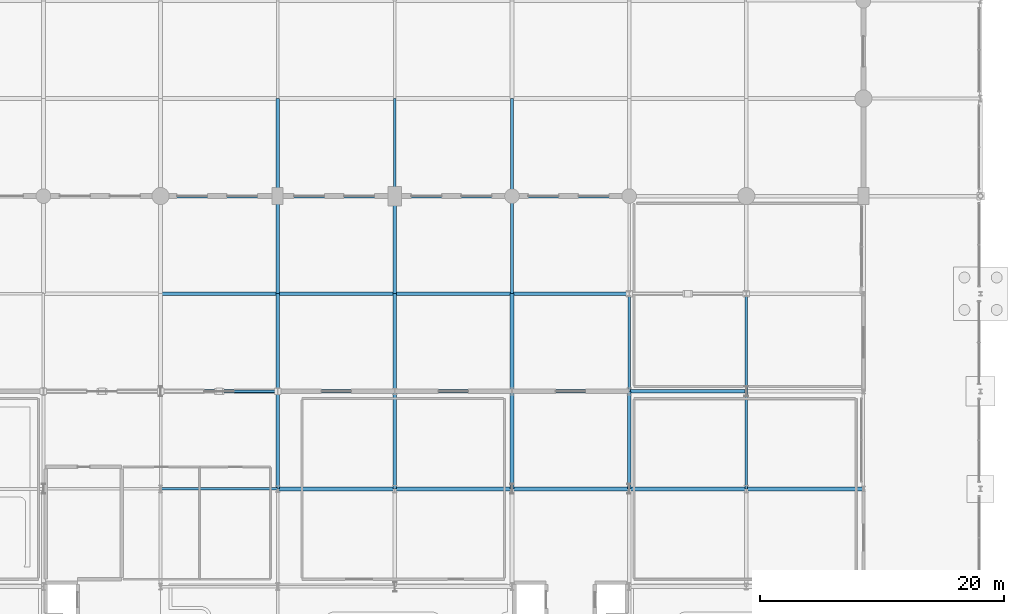
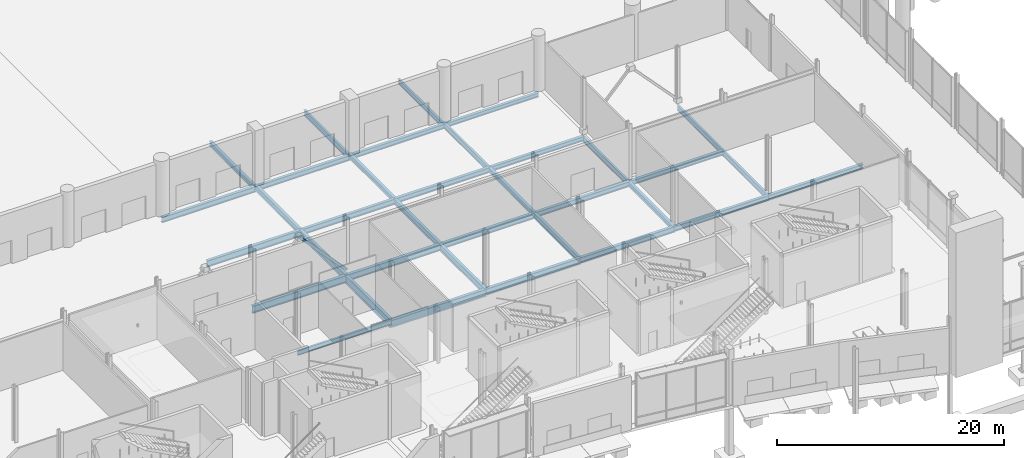
# One storey, part 44 of 124: 35 beams, 1 member.
"""IFC4 building model written with IfcOpenShell, lengths in metres."""

from ifc_helpers import new_model, si_unit, direction, frame, origin, origin_2d, place, context, subcontext, project, spatial, hollow_rectangle, i_section, extrude, material, material_profile, profile_set, type_object, element, save


model = new_model("IFC4")

# Units and contexts
model_context = context("Model", 3, precision=1e-05, world=origin(), true_north=direction((0.0, 1.0)))
body_context = subcontext(model_context, "Body", "Model", "MODEL_VIEW")
ifc_project = project(units=[si_unit("LENGTHUNIT", "METRE"), si_unit("AREAUNIT", "SQUARE_METRE"), si_unit("VOLUMEUNIT", "CUBIC_METRE"), si_unit("PLANEANGLEUNIT", "RADIAN"), si_unit("MASSUNIT", "GRAM", prefix="KILO")], contexts=[model_context])

# Site, building, storey
site_placement = place(None, origin())
site = spatial("IfcSite", under=ifc_project, at=site_placement, CompositionType="ELEMENT")
building_placement = place(site_placement, origin())
building = spatial("IfcBuilding", under=site, at=building_placement, Name="Danafjord Basin Convention Centre", CompositionType="ELEMENT")
storey_placement = place(building_placement, origin())
storey = spatial("IfcBuildingStorey", under=building, at=storey_placement, Name="L00", CompositionType="ELEMENT", Elevation=0.0)

# Beams
ifc_material = material(Name="Steel S355", Category="steel")
ifc_material_profile_1 = material_profile(ifc_material, i_section(OverallWidth=0.300048828125, OverallDepth=0.449951171875, WebThickness=0.013916015625, FlangeThickness=0.02587890625, FilletRadius=0.027099609375, at=origin_2d()), Name="HEB 450")
ifc_profile_set_1 = profile_set([ifc_material_profile_1], Name="Steel S355")
beam_type_1 = type_object("IfcBeamType", Name="BEAM-BM-HEB450", PredefinedType="BEAM", material=ifc_profile_set_1)
beam_1_placement = place(storey_placement, frame((86.39990234375, 56.0, -0.675048828125), z_axis=(1.0, 0.0, 0.0), x_axis=(0.0, 1.0, 0.0)))
element("IfcBeam", 1, at=beam_1_placement, inside=storey, type_object=beam_type_1, Name="L00 girder BM-HEB450", PredefinedType="BEAM", context=body_context, shape_type="SweptSolid", body=[
    extrude(i_section(OverallWidth=0.300048828125, OverallDepth=0.449951171875, WebThickness=0.013916015625, FlangeThickness=0.02587890625, FilletRadius=0.027099609375, at=origin_2d()), origin(), (0.0, 0.0, 1.0), 9.60009765625),
])
ifc_material_profile_2 = material_profile(ifc_material, i_section(OverallWidth=0.300048828125, OverallDepth=0.5, WebThickness=0.014404296875, FlangeThickness=0.028076171875, FilletRadius=0.027099609375, at=origin_2d()), Name="HEB 500")
ifc_profile_set_2 = profile_set([ifc_material_profile_2], Name="Steel S355")
beam_type_2 = type_object("IfcBeamType", Name="BEAM-BM-HEB500", PredefinedType="BEAM", material=ifc_profile_set_2)
beam_2_placement = place(storey_placement, frame((76.800048828125, 56.0, -0.699951171875), z_axis=(1.0, 0.0, 0.0), x_axis=(0.0, 1.0, 0.0)))
element("IfcBeam", 2, at=beam_2_placement, inside=storey, type_object=beam_type_2, Name="L00 girder BM-HEB500", PredefinedType="BEAM", context=body_context, shape_type="SweptSolid", body=[
    extrude(i_section(OverallWidth=0.300048828125, OverallDepth=0.5, WebThickness=0.014404296875, FlangeThickness=0.028076171875, FilletRadius=0.027099609375, at=origin_2d()), origin(), (0.0, 0.0, 1.0), 9.599853515625),
])
for number, where, z_axis, x_axis, name in (
    (3, (86.39990234375, 48.0, -0.530029296875), (1.0, 0.0, 0.0), (0.0, 1.0, 0.0), "L00 girder BM-HEB500"),
    (4, (96.0, 40.0, -0.56005859375), (1.0, 0.0, 0.0), (0.0, 1.0, 0.0), "L00 girder BM-HEB500"),
):
    element("IfcBeam", number, at=place(storey_placement, frame(where, z_axis=z_axis, x_axis=x_axis)), inside=storey, type_object=beam_type_2, Name=name, PredefinedType="BEAM", context=body_context, shape_type="SweptSolid", body=[
        extrude(i_section(OverallWidth=0.300048828125, OverallDepth=0.5, WebThickness=0.014404296875, FlangeThickness=0.028076171875, FilletRadius=0.027099609375, at=origin_2d()), origin(), (0.0, 0.0, 1.0), 9.60009765625),
    ])
beam_3_placement = place(storey_placement, frame((105.60009765625, 32.0, -0.56005859375), z_axis=(1.0, 0.0, 0.0), x_axis=(0.0, 1.0, 0.0)))
element("IfcBeam", 5, at=beam_3_placement, inside=storey, type_object=beam_type_2, Name="L00 girder BM-HEB500", PredefinedType="BEAM", context=body_context, shape_type="SweptSolid", body=[
    extrude(i_section(OverallWidth=0.300048828125, OverallDepth=0.5, WebThickness=0.014404296875, FlangeThickness=0.028076171875, FilletRadius=0.027099609375, at=origin_2d()), origin(), (0.0, 0.0, 1.0), 9.599853515625),
])
for number, where, z_axis, x_axis, name in (
    (6, (67.199951171875, 56.0, -0.699951171875), (0.0, 1.0, 0.0), (-1.0, 0.0, 0.0), "L00 transverse girder BM-HEB500"),
    (7, (76.800048828125, 48.0, -0.530029296875), (0.0, 1.0, 0.0), (-1.0, 0.0, 0.0), "L00 transverse girder BM-HEB500"),
    (8, (86.39990234375, 40.0, -0.530029296875), (0.0, 1.0, 0.0), (-1.0, 0.0, 0.0), "L00 transverse girder BM-HEB500"),
    (9, (96.0, 32.0, -0.56005859375), (0.0, 1.0, 0.0), (-1.0, 0.0, 0.0), "L00 transverse girder BM-HEB500"),
):
    element("IfcBeam", number, at=place(storey_placement, frame(where, z_axis=z_axis, x_axis=x_axis)), inside=storey, type_object=beam_type_2, Name=name, PredefinedType="BEAM", context=body_context, shape_type="SweptSolid", body=[
        extrude(i_section(OverallWidth=0.300048828125, OverallDepth=0.5, WebThickness=0.014404296875, FlangeThickness=0.028076171875, FilletRadius=0.027099609375, at=origin_2d()), origin(), (0.0, 0.0, 1.0), 8.0),
    ])
ifc_material_profile_3 = material_profile(ifc_material, i_section(OverallWidth=0.300048828125, OverallDepth=0.550048828125, WebThickness=0.014892578125, FlangeThickness=0.029052734375, FilletRadius=0.027099609375, at=origin_2d()), Name="HEB 550")
ifc_profile_set_3 = profile_set([ifc_material_profile_3], Name="Steel S355")
beam_type_3 = type_object("IfcBeamType", Name="BEAM-BM-HEB550", PredefinedType="BEAM", material=ifc_profile_set_3)
beam_4_placement = place(storey_placement, frame((67.199951171875, 56.0, -0.72509765625), z_axis=(1.0, 0.0, 0.0), x_axis=(0.0, 1.0, 0.0)))
element("IfcBeam", 10, at=beam_4_placement, inside=storey, type_object=beam_type_3, Name="L00 girder BM-HEB550", PredefinedType="BEAM", context=body_context, shape_type="SweptSolid", body=[
    extrude(i_section(OverallWidth=0.300048828125, OverallDepth=0.550048828125, WebThickness=0.014892578125, FlangeThickness=0.029052734375, FilletRadius=0.027099609375, at=origin_2d()), origin(), (0.0, 0.0, 1.0), 9.60009765625),
])
beam_5_placement = place(storey_placement, frame((76.800048828125, 48.0, -0.554931640625), z_axis=(1.0, 0.0, 0.0), x_axis=(0.0, 1.0, 0.0)))
element("IfcBeam", 11, at=beam_5_placement, inside=storey, type_object=beam_type_3, Name="L00 girder BM-HEB550", PredefinedType="BEAM", context=body_context, shape_type="SweptSolid", body=[
    extrude(i_section(OverallWidth=0.300048828125, OverallDepth=0.550048828125, WebThickness=0.014892578125, FlangeThickness=0.029052734375, FilletRadius=0.027099609375, at=origin_2d()), origin(), (0.0, 0.0, 1.0), 9.599853515625),
])
for number, where, z_axis, x_axis, name in (
    (12, (86.39990234375, 40.0, -0.5849609375), (1.0, 0.0, 0.0), (0.0, 1.0, 0.0), "L00 girder BM-HEB550"),
    (13, (96.0, 32.0, -0.5849609375), (1.0, 0.0, 0.0), (0.0, 1.0, 0.0), "L00 girder BM-HEB550"),
):
    element("IfcBeam", number, at=place(storey_placement, frame(where, z_axis=z_axis, x_axis=x_axis)), inside=storey, type_object=beam_type_3, Name=name, PredefinedType="BEAM", context=body_context, shape_type="SweptSolid", body=[
        extrude(i_section(OverallWidth=0.300048828125, OverallDepth=0.550048828125, WebThickness=0.014892578125, FlangeThickness=0.029052734375, FilletRadius=0.027099609375, at=origin_2d()), origin(), (0.0, 0.0, 1.0), 9.60009765625),
    ])
ifc_material_profile_4 = material_profile(ifc_material, i_section(OverallWidth=0.300048828125, OverallDepth=0.60009765625, WebThickness=0.015380859375, FlangeThickness=0.030029296875, FilletRadius=0.027099609375, at=origin_2d()), Name="HEB 600")
ifc_profile_set_4 = profile_set([ifc_material_profile_4], Name="Steel S355")
beam_type_4 = type_object("IfcBeamType", Name="BEAM-BM-HEB600", PredefinedType="BEAM", material=ifc_profile_set_4)
beam_6_placement = place(storey_placement, frame((57.60009765625, 56.0, -0.75), z_axis=(1.0, 0.0, 0.0), x_axis=(0.0, 1.0, 0.0)))
element("IfcBeam", 14, at=beam_6_placement, inside=storey, type_object=beam_type_4, Name="L00 girder BM-HEB600", PredefinedType="BEAM", context=body_context, shape_type="SweptSolid", body=[
    extrude(i_section(OverallWidth=0.300048828125, OverallDepth=0.60009765625, WebThickness=0.015380859375, FlangeThickness=0.030029296875, FilletRadius=0.027099609375, at=origin_2d()), origin(), (0.0, 0.0, 1.0), 9.599853515625),
])
beam_7_placement = place(storey_placement, frame((67.199951171875, 48.0, -0.580078125), z_axis=(1.0, 0.0, 0.0), x_axis=(0.0, 1.0, 0.0)))
element("IfcBeam", 15, at=beam_7_placement, inside=storey, type_object=beam_type_4, Name="L00 girder BM-HEB600", PredefinedType="BEAM", context=body_context, shape_type="SweptSolid", body=[
    extrude(i_section(OverallWidth=0.300048828125, OverallDepth=0.60009765625, WebThickness=0.015380859375, FlangeThickness=0.030029296875, FilletRadius=0.027099609375, at=origin_2d()), origin(), (0.0, 0.0, 1.0), 9.60009765625),
])
beam_8_placement = place(storey_placement, frame((76.800048828125, 40.0, -0.610107421875), z_axis=(1.0, 0.0, 0.0), x_axis=(0.0, 1.0, 0.0)))
element("IfcBeam", 16, at=beam_8_placement, inside=storey, type_object=beam_type_4, Name="L00 girder BM-HEB600", PredefinedType="BEAM", context=body_context, shape_type="SweptSolid", body=[
    extrude(i_section(OverallWidth=0.300048828125, OverallDepth=0.60009765625, WebThickness=0.015380859375, FlangeThickness=0.030029296875, FilletRadius=0.027099609375, at=origin_2d()), origin(), (0.0, 0.0, 1.0), 9.599853515625),
])
beam_9_placement = place(storey_placement, frame((86.39990234375, 32.0, -0.610107421875), z_axis=(1.0, 0.0, 0.0), x_axis=(0.0, 1.0, 0.0)))
element("IfcBeam", 17, at=beam_9_placement, inside=storey, type_object=beam_type_4, Name="L00 girder BM-HEB600", PredefinedType="BEAM", context=body_context, shape_type="SweptSolid", body=[
    extrude(i_section(OverallWidth=0.300048828125, OverallDepth=0.60009765625, WebThickness=0.015380859375, FlangeThickness=0.030029296875, FilletRadius=0.027099609375, at=origin_2d()), origin(), (0.0, 0.0, 1.0), 9.60009765625),
])
for number, where, z_axis, x_axis, name in (
    (18, (67.199951171875, 48.0, -0.580078125), (0.0, 1.0, 0.0), (-1.0, 0.0, 0.0), "L00 transverse girder BM-HEB600"),
    (19, (76.800048828125, 40.0, -0.580078125), (0.0, 1.0, 0.0), (-1.0, 0.0, 0.0), "L00 transverse girder BM-HEB600"),
    (20, (86.39990234375, 32.0, -0.610107421875), (0.0, 1.0, 0.0), (-1.0, 0.0, 0.0), "L00 transverse girder BM-HEB600"),
):
    element("IfcBeam", number, at=place(storey_placement, frame(where, z_axis=z_axis, x_axis=x_axis)), inside=storey, type_object=beam_type_4, Name=name, PredefinedType="BEAM", context=body_context, shape_type="SweptSolid", body=[
        extrude(i_section(OverallWidth=0.300048828125, OverallDepth=0.60009765625, WebThickness=0.015380859375, FlangeThickness=0.030029296875, FilletRadius=0.027099609375, at=origin_2d()), origin(), (0.0, 0.0, 1.0), 8.0),
    ])
ifc_material_profile_5 = material_profile(ifc_material, i_section(OverallWidth=0.300048828125, OverallDepth=0.699951171875, WebThickness=0.01708984375, FlangeThickness=0.031982421875, FilletRadius=0.027099609375, at=origin_2d()), Name="HEB 700")
ifc_profile_set_5 = profile_set([ifc_material_profile_5], Name="Steel S355")
beam_type_5 = type_object("IfcBeamType", Name="BEAM-BM-HEB700", PredefinedType="BEAM", material=ifc_profile_set_5)
beam_10_placement = place(storey_placement, frame((57.60009765625, 48.0, -0.6298828125), z_axis=(1.0, 0.0, 0.0), x_axis=(0.0, 1.0, 0.0)))
element("IfcBeam", 21, at=beam_10_placement, inside=storey, type_object=beam_type_5, Name="L00 girder BM-HEB700", PredefinedType="BEAM", context=body_context, shape_type="SweptSolid", body=[
    extrude(i_section(OverallWidth=0.300048828125, OverallDepth=0.699951171875, WebThickness=0.01708984375, FlangeThickness=0.031982421875, FilletRadius=0.027099609375, at=origin_2d()), origin(), (0.0, 0.0, 1.0), 9.599853515625),
])
beam_11_placement = place(storey_placement, frame((67.199951171875, 40.0, -0.659912109375), z_axis=(1.0, 0.0, 0.0), x_axis=(0.0, 1.0, 0.0)))
element("IfcBeam", 22, at=beam_11_placement, inside=storey, type_object=beam_type_5, Name="L00 girder BM-HEB700", PredefinedType="BEAM", context=body_context, shape_type="SweptSolid", body=[
    extrude(i_section(OverallWidth=0.300048828125, OverallDepth=0.699951171875, WebThickness=0.01708984375, FlangeThickness=0.031982421875, FilletRadius=0.027099609375, at=origin_2d()), origin(), (0.0, 0.0, 1.0), 9.60009765625),
])
beam_12_placement = place(storey_placement, frame((76.800048828125, 32.0, -0.659912109375), z_axis=(1.0, 0.0, 0.0), x_axis=(0.0, 1.0, 0.0)))
element("IfcBeam", 23, at=beam_12_placement, inside=storey, type_object=beam_type_5, Name="L00 girder BM-HEB700", PredefinedType="BEAM", context=body_context, shape_type="SweptSolid", body=[
    extrude(i_section(OverallWidth=0.300048828125, OverallDepth=0.699951171875, WebThickness=0.01708984375, FlangeThickness=0.031982421875, FilletRadius=0.027099609375, at=origin_2d()), origin(), (0.0, 0.0, 1.0), 9.599853515625),
])
for number, where, z_axis, x_axis, name in (
    (24, (67.199951171875, 40.0, -0.6298828125), (0.0, 1.0, 0.0), (-1.0, 0.0, 0.0), "L00 transverse girder BM-HEB700"),
    (25, (76.800048828125, 32.0, -0.659912109375), (0.0, 1.0, 0.0), (-1.0, 0.0, 0.0), "L00 transverse girder BM-HEB700"),
):
    element("IfcBeam", number, at=place(storey_placement, frame(where, z_axis=z_axis, x_axis=x_axis)), inside=storey, type_object=beam_type_5, Name=name, PredefinedType="BEAM", context=body_context, shape_type="SweptSolid", body=[
        extrude(i_section(OverallWidth=0.300048828125, OverallDepth=0.699951171875, WebThickness=0.01708984375, FlangeThickness=0.031982421875, FilletRadius=0.027099609375, at=origin_2d()), origin(), (0.0, 0.0, 1.0), 8.0),
    ])
ifc_material_profile_6 = material_profile(ifc_material, i_section(OverallWidth=0.300048828125, OverallDepth=0.800048828125, WebThickness=0.017578125, FlangeThickness=0.032958984375, FilletRadius=0.030029296875, at=origin_2d()), Name="HEB 800")
ifc_profile_set_6 = profile_set([ifc_material_profile_6], Name="Steel S355")
beam_type_6 = type_object("IfcBeamType", Name="BEAM-BM-HEB800", PredefinedType="BEAM", material=ifc_profile_set_6)
beam_13_placement = place(storey_placement, frame((57.60009765625, 40.0, -0.7099609375), z_axis=(1.0, 0.0, 0.0), x_axis=(0.0, 1.0, 0.0)))
element("IfcBeam", 26, at=beam_13_placement, inside=storey, type_object=beam_type_6, Name="L00 girder BM-HEB800", PredefinedType="BEAM", context=body_context, shape_type="SweptSolid", body=[
    extrude(i_section(OverallWidth=0.300048828125, OverallDepth=0.800048828125, WebThickness=0.017578125, FlangeThickness=0.032958984375, FilletRadius=0.030029296875, at=origin_2d()), origin(), (0.0, 0.0, 1.0), 9.599853515625),
])
beam_14_placement = place(storey_placement, frame((67.199951171875, 32.0, -0.7099609375), z_axis=(1.0, 0.0, 0.0), x_axis=(0.0, 1.0, 0.0)))
element("IfcBeam", 27, at=beam_14_placement, inside=storey, type_object=beam_type_6, Name="L00 girder BM-HEB800", PredefinedType="BEAM", context=body_context, shape_type="SweptSolid", body=[
    extrude(i_section(OverallWidth=0.300048828125, OverallDepth=0.800048828125, WebThickness=0.017578125, FlangeThickness=0.032958984375, FilletRadius=0.030029296875, at=origin_2d()), origin(), (0.0, 0.0, 1.0), 9.60009765625),
])
ifc_material_profile_7 = material_profile(ifc_material, i_section(OverallWidth=0.300048828125, OverallDepth=0.89990234375, WebThickness=0.0185546875, FlangeThickness=0.034912109375, FilletRadius=0.030029296875, at=origin_2d()), Name="HEB 900")
ifc_profile_set_7 = profile_set([ifc_material_profile_7], Name="Steel S355")
beam_type_7 = type_object("IfcBeamType", Name="BEAM-BM-HEB900", PredefinedType="BEAM", material=ifc_profile_set_7)
beam_15_placement = place(storey_placement, frame((67.199951171875, 32.0, -0.760009765625), z_axis=(0.0, 1.0, 0.0), x_axis=(-1.0, 0.0, 0.0)))
element("IfcBeam", 28, at=beam_15_placement, inside=storey, type_object=beam_type_7, Name="L00 transverse girder BM-HEB900", PredefinedType="BEAM", context=body_context, shape_type="SweptSolid", body=[
    extrude(i_section(OverallWidth=0.300048828125, OverallDepth=0.89990234375, WebThickness=0.0185546875, FlangeThickness=0.034912109375, FilletRadius=0.030029296875, at=origin_2d()), origin(), (0.0, 0.0, 1.0), 8.0),
])
ifc_material_profile_8 = material_profile(ifc_material, i_section(OverallWidth=0.199951171875, OverallDepth=0.5, WebThickness=0.01025390625, FlangeThickness=0.01611328125, FilletRadius=0.02099609375, at=origin_2d()), Name="IPE 500")
ifc_profile_set_8 = profile_set([ifc_material_profile_8], Name="Steel S355")
beam_type_8 = type_object("IfcBeamType", Name="BEAM-BM-IPE500", PredefinedType="BEAM", material=ifc_profile_set_8)
beam_16_placement = place(storey_placement, frame((57.60009765625, 32.0, -0.56005859375), z_axis=(1.0, 0.0, 0.0), x_axis=(0.0, 1.0, 0.0)))
element("IfcBeam", 29, at=beam_16_placement, inside=storey, type_object=beam_type_8, Name="L00 girder BM-IPE500", PredefinedType="BEAM", context=body_context, shape_type="SweptSolid", body=[
    extrude(i_section(OverallWidth=0.199951171875, OverallDepth=0.5, WebThickness=0.01025390625, FlangeThickness=0.01611328125, FilletRadius=0.02099609375, at=origin_2d()), origin(), (0.0, 0.0, 1.0), 9.599853515625),
])
ifc_material_profile_9 = material_profile(ifc_material, i_section(OverallWidth=0.2099609375, OverallDepth=0.550048828125, WebThickness=0.010986328125, FlangeThickness=0.01708984375, FilletRadius=0.02392578125, at=origin_2d()), Name="IPE 550")
ifc_profile_set_9 = profile_set([ifc_material_profile_9], Name="Steel S355")
beam_type_9 = type_object("IfcBeamType", Name="BEAM-BM-IPE550", PredefinedType="BEAM", material=ifc_profile_set_9)
for number, where, z_axis, x_axis, name in (
    (30, (86.39990234375, 56.0, -0.72509765625), (0.0, 1.0, 0.0), (-1.0, 0.0, 0.0), "L00 transverse girder BM-IPE550"),
    (31, (105.60009765625, 40.0, -0.5849609375), (0.0, 1.0, 0.0), (-1.0, 0.0, 0.0), "L00 transverse girder BM-IPE550"),
):
    element("IfcBeam", number, at=place(storey_placement, frame(where, z_axis=z_axis, x_axis=x_axis)), inside=storey, type_object=beam_type_9, Name=name, PredefinedType="BEAM", context=body_context, shape_type="SweptSolid", body=[
        extrude(i_section(OverallWidth=0.2099609375, OverallDepth=0.550048828125, WebThickness=0.010986328125, FlangeThickness=0.01708984375, FilletRadius=0.02392578125, at=origin_2d()), origin(), (0.0, 0.0, 1.0), 8.0),
    ])
ifc_material_profile_10 = material_profile(ifc_material, i_section(OverallWidth=0.219970703125, OverallDepth=0.60009765625, WebThickness=0.011962890625, FlangeThickness=0.01904296875, FilletRadius=0.02392578125, at=origin_2d()), Name="IPE 600")
ifc_profile_set_10 = profile_set([ifc_material_profile_10], Name="Steel S355")
beam_type_10 = type_object("IfcBeamType", Name="BEAM-BM-IPE600", PredefinedType="BEAM", material=ifc_profile_set_10)
for number, where, z_axis, x_axis, name in (
    (32, (76.800048828125, 56.0, -0.75), (0.0, 1.0, 0.0), (-1.0, 0.0, 0.0), "L00 transverse girder BM-IPE600"),
    (33, (86.39990234375, 48.0, -0.580078125), (0.0, 1.0, 0.0), (-1.0, 0.0, 0.0), "L00 transverse girder BM-IPE600"),
    (34, (96.0, 40.0, -0.610107421875), (0.0, 1.0, 0.0), (-1.0, 0.0, 0.0), "L00 transverse girder BM-IPE600"),
    (35, (105.60009765625, 32.0, -0.610107421875), (0.0, 1.0, 0.0), (-1.0, 0.0, 0.0), "L00 transverse girder BM-IPE600"),
):
    element("IfcBeam", number, at=place(storey_placement, frame(where, z_axis=z_axis, x_axis=x_axis)), inside=storey, type_object=beam_type_10, Name=name, PredefinedType="BEAM", context=body_context, shape_type="SweptSolid", body=[
        extrude(i_section(OverallWidth=0.219970703125, OverallDepth=0.60009765625, WebThickness=0.011962890625, FlangeThickness=0.01904296875, FilletRadius=0.02392578125, at=origin_2d()), origin(), (0.0, 0.0, 1.0), 8.0),
    ])

# Member
ifc_material_profile_11 = material_profile(ifc_material, hollow_rectangle(XDim=0.25, YDim=0.25, WallThickness=0.012451171875, InnerFilletRadius=0.018798828125, OuterFilletRadius=0.03125, at=origin_2d()), Name="SHS 250x250x12.5")
ifc_profile_set_11 = profile_set([ifc_material_profile_11], Name="Steel S355")
member_type = type_object("IfcMemberType", Name="MEM-BRS-250", PredefinedType="BRACE", material=ifc_profile_set_11)
member_placement = place(storey_placement, frame((67.199951171875, 40.0, 0.25), z_axis=(-0.681822621397, 0.0, 0.73151754111), x_axis=(0.0, -1.0, 0.0)))
element("IfcMember", 36, at=member_placement, inside=storey, type_object=member_type, Name="Diagonal brace BRS-250 (L00 braced frame BF-06 diagonal B)", PredefinedType="BRACE", context=body_context, shape_type="SweptSolid", body=[
    extrude(hollow_rectangle(XDim=0.25, YDim=0.25, WallThickness=0.012451171875, InnerFilletRadius=0.018798828125, OuterFilletRadius=0.03125, at=origin_2d()), origin(), (0.0, 0.0, 1.0), 7.0400390625),
])

save(model, "model.ifc")
